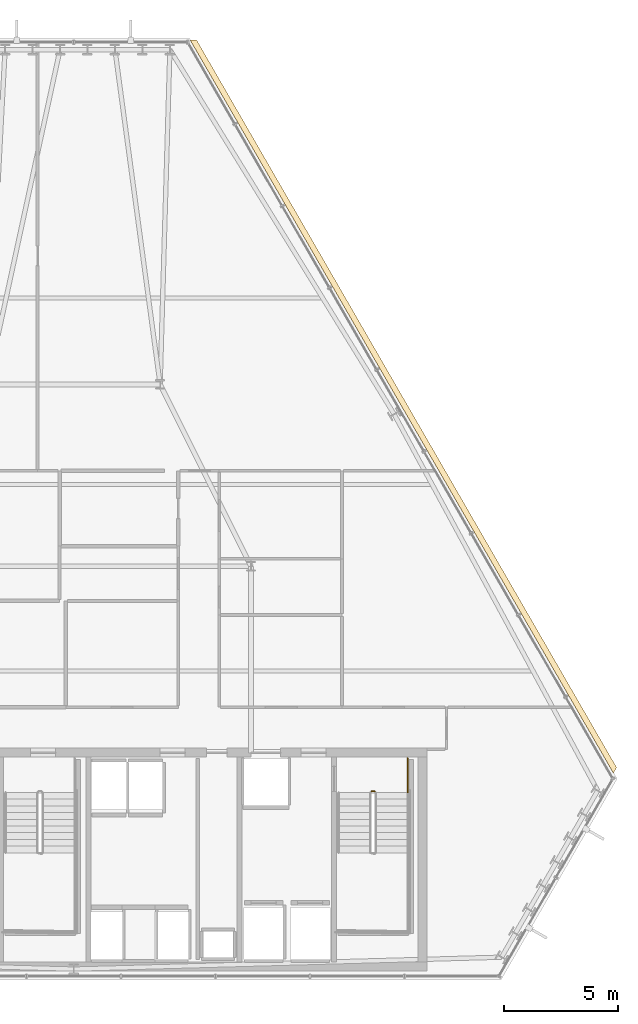
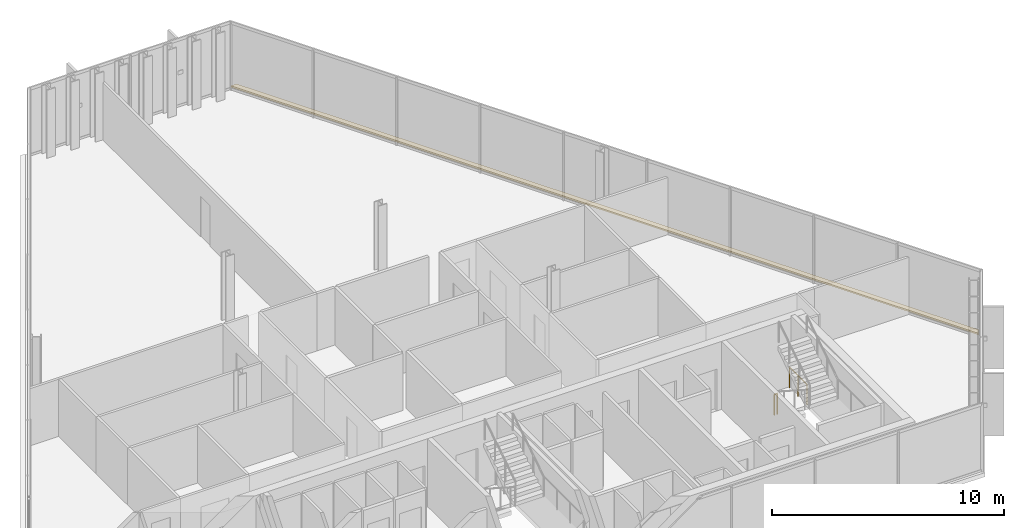
# One storey, part 34 of 35: 2 railings, 1 covering.
"""IFC4 building model written with IfcOpenShell, lengths in metres."""

import ifcopenshell
import ifcopenshell.guid

model = None  # the IFC model being written
_history = None  # IfcOwnerHistory: only IFC2X3 demands one
_inside = {}  # id of a spatial element -> (the spatial element, [elements in it])
_under = {}  # id of a project, library or spatial element -> (it, [spatial elements below it])
_declared = {}  # id of a project -> (the project, [libraries it declares])
_typed = {}  # id of a type object -> (the type object, [elements of that type])
_made_of = {}  # id of a material, layer set ... -> (it, [elements and type objects made of it])


def new_model(schema):
    """Start an empty IFC model of exactly this schema.

    Asked for "IFC4X3", IfcOpenShell would pick the latest addendum, in which some entities
    have other attributes; the version numbers below select the first issue.
    IFC2X3 requires an IfcOwnerHistory on every rooted entity: one is made here for all.
    """
    global model, _history
    if schema == "IFC4X3":
        model = ifcopenshell.file(schema_version=(4, 3, 0, 0))
    else:
        model = ifcopenshell.file(schema=schema)
    _inside.clear()
    _under.clear()
    _declared.clear()
    _typed.clear()
    _made_of.clear()
    _history = None
    if model.schema == "IFC2X3":
        org = make("IfcOrganization", Name="unknown")
        user = make(
            "IfcPersonAndOrganization",
            ThePerson=make("IfcPerson", FamilyName="unknown"),
            TheOrganization=org,
        )
        app = make(
            "IfcApplication",
            ApplicationDeveloper=org,
            Version="unknown",
            ApplicationFullName="unknown",
            ApplicationIdentifier="unknown",
        )
        _history = make(
            "IfcOwnerHistory",
            OwningUser=user,
            OwningApplication=app,
            ChangeAction="ADDED",
            CreationDate=0,
        )
    return model


def make(cls, **values):
    """One entity of the class cls with the attributes given. An attribute that is None is left unset."""
    return model.create_entity(
        cls, **{name: value for name, value in values.items() if value is not None}
    )


def rooted(cls, **values):
    """An entity with a GlobalId (a new one), such as an element, a storey or a relation."""
    return make(cls, GlobalId=ifcopenshell.guid.new(), OwnerHistory=_history, **values)


def si_unit(unit_type, name, prefix=None):
    """IfcSIUnit, for example si_unit("LENGTHUNIT", "METRE", prefix="MILLI")."""
    return make("IfcSIUnit", UnitType=unit_type, Prefix=prefix, Name=name)


def assignment(units):
    """IfcUnitAssignment: the units of a project."""
    return None if units is None else make("IfcUnitAssignment", Units=units)


def point(xyz):
    """IfcCartesianPoint."""
    return None if xyz is None else make("IfcCartesianPoint", Coordinates=xyz)


def direction(xyz):
    """IfcDirection."""
    return None if xyz is None else make("IfcDirection", DirectionRatios=xyz)


def frame(location, z_axis=None, x_axis=None):
    """IfcAxis2Placement3D, a coordinate frame: its origin and axes. An axis left out is left unset."""
    return make(
        "IfcAxis2Placement3D",
        Location=point(location),
        Axis=direction(z_axis),
        RefDirection=direction(x_axis),
    )


def frame_2d(location, x_axis=None):
    """IfcAxis2Placement2D, a coordinate frame in the plane: its origin and x axis."""
    return make(
        "IfcAxis2Placement2D", Location=point(location), RefDirection=direction(x_axis)
    )


def origin():
    """The frame at (0, 0, 0) with its axes left unset."""
    return frame((0.0, 0.0, 0.0))


def origin_2d():
    """The frame at (0, 0) in the plane with its x axis left unset."""
    return frame_2d((0.0, 0.0))


def place(relative_to, where):
    """IfcLocalPlacement: puts the frame where relative to a parent placement (None: the world)."""
    return make(
        "IfcLocalPlacement", PlacementRelTo=relative_to, RelativePlacement=where
    )


def context(
    kind, dimensions, precision=None, world=None, true_north=None, identifier=None
):
    """IfcGeometricRepresentationContext, for example the 3D "Model" context."""
    return make(
        "IfcGeometricRepresentationContext",
        ContextIdentifier=identifier,
        ContextType=kind,
        CoordinateSpaceDimension=dimensions,
        Precision=precision,
        WorldCoordinateSystem=world,
        TrueNorth=true_north,
    )


def subcontext(parent, identifier, kind, view, scale=None):
    """IfcGeometricRepresentationSubContext, for example "Body" below "Model"."""
    return make(
        "IfcGeometricRepresentationSubContext",
        ContextIdentifier=identifier,
        ContextType=kind,
        ParentContext=parent,
        TargetScale=scale,
        TargetView=view,
    )


def project(units=None, contexts=None):
    """IfcProject with its units and contexts."""
    return rooted(
        "IfcProject",
        Name="project",
        RepresentationContexts=contexts,
        UnitsInContext=assignment(units),
    )


def spatial(cls, under=None, at=None, **own):
    """A site, building, storey or space (cls), placed at a placement, below another one or the project."""
    s = rooted(cls, ObjectPlacement=at, **own)
    if under is not None:
        _under.setdefault(under.id(), (under, []))[1].append(s)
    return s


def polyline(points):
    """IfcPolyline through the points."""
    return make("IfcPolyline", Points=[point(p) for p in points])


def profile(cls, at=None, kind="AREA", **sizes):
    """A parametric profile (cls). Its sizes go by their IFC names, for example OverallWidth=200.0."""
    return make(cls, ProfileType=kind, Position=at, **sizes)


def circle(**sizes):
    """IfcCircleProfileDef."""
    return profile("IfcCircleProfileDef", **sizes)


def outline(outer, holes=None, kind="AREA"):
    """IfcArbitraryClosedProfileDef: a profile drawn as a closed curve; with holes, ...WithVoids."""
    if holes is None:
        return make("IfcArbitraryClosedProfileDef", ProfileType=kind, OuterCurve=outer)
    return make(
        "IfcArbitraryProfileDefWithVoids",
        ProfileType=kind,
        OuterCurve=outer,
        InnerCurves=holes,
    )


def extrude(swept, where, along, depth):
    """IfcExtrudedAreaSolid: the profile swept, set in the frame where, extruded along a direction by depth."""
    return make(
        "IfcExtrudedAreaSolid",
        SweptArea=swept,
        Position=where,
        ExtrudedDirection=direction(along),
        Depth=depth,
    )


def shape(context_of_items, identifier, shape_type, items):
    """IfcShapeRepresentation: the items that make up one representation, for example the "Body"."""
    return make(
        "IfcShapeRepresentation",
        ContextOfItems=context_of_items,
        RepresentationIdentifier=identifier,
        RepresentationType=shape_type,
        Items=items,
    )


def material(Name=None, Category=None):
    """IfcMaterial."""
    return make("IfcMaterial", Name=Name, Category=Category)


def layer(
    of_material, thickness, ventilated=None, Name=None, Category=None, Priority=None
):
    """IfcMaterialLayer: one layer of a wall or slab, of a material (None: an air gap)."""
    return make(
        "IfcMaterialLayer",
        Material=of_material,
        LayerThickness=thickness,
        IsVentilated=ventilated,
        Name=Name,
        Category=Category,
        Priority=Priority,
    )


def layer_set(layers, Name=None):
    """IfcMaterialLayerSet."""
    return make("IfcMaterialLayerSet", MaterialLayers=layers, LayerSetName=Name)


def made_of(thing, what):
    """Note that an element or type object is made of a material, layer set ...; save() writes the relation."""
    if what is not None:
        _made_of.setdefault(what.id(), (what, []))[1].append(thing)
    return thing


def type_object(cls, material=None, **own):
    """A type object (cls), such as IfcWallType, which elements share."""
    return made_of(rooted(cls, **own), material)


def element(
    cls,
    number,
    at=None,
    inside=None,
    cuts=None,
    type_object=None,
    material=None,
    context=None,
    identifier="Body",
    shape_type=None,
    held_by="IfcProductDefinitionShape",
    body=None,
    shapes=None,
    **own,
):
    """One element of the class cls, such as IfcWall. Its Tag is "e" and its number.

    at: its placement. inside: the storey or other place that contains it. cuts: it is an
    opening in that element (IfcRelVoidsElement). A single representation is given by context,
    identifier, shape_type and body (its items); several are given by shapes. held_by: the class
    of the entity that holds the representations. save() writes the other relations.
    """
    e = rooted(cls, Tag="e%d" % number, ObjectPlacement=at, **own)
    if body is not None:
        shapes = [shape(context, identifier, shape_type, body)]
    if shapes is not None:
        e.Representation = make(held_by, Representations=shapes)
    if inside is not None:
        _inside.setdefault(inside.id(), (inside, []))[1].append(e)
    if cuts is not None:
        rooted(
            "IfcRelVoidsElement", RelatingBuildingElement=cuts, RelatedOpeningElement=e
        )
    if type_object is not None:
        _typed.setdefault(type_object.id(), (type_object, []))[1].append(e)
    return made_of(e, material)


def aggregate(whole, parts):
    """IfcRelAggregates: a whole, such as a stair, and the parts it consists of."""
    return rooted("IfcRelAggregates", RelatingObject=whole, RelatedObjects=parts)


def save(model, path):
    """Write the relations noted so far, then the file.

    IfcRelAggregates (storeys below a building ...), IfcRelContainedInSpatialStructure (elements
    in a storey), IfcRelDefinesByType, IfcRelAssociatesMaterial and IfcRelDeclares: one each for
    every whole, place, type object, material and project.
    """
    for whole, parts in _under.values():
        aggregate(whole, parts)
    for where, things in _inside.values():
        rooted(
            "IfcRelContainedInSpatialStructure",
            RelatedElements=things,
            RelatingStructure=where,
        )
    for kind, things in _typed.values():
        rooted("IfcRelDefinesByType", RelatedObjects=things, RelatingType=kind)
    for what, things in _made_of.values():
        rooted("IfcRelAssociatesMaterial", RelatedObjects=things, RelatingMaterial=what)
    for by, libraries in _declared.values():
        rooted("IfcRelDeclares", RelatingContext=by, RelatedDefinitions=libraries)
    model.write(path)


model = new_model("IFC4")

# Units and contexts
model_context = context("Model", 3, precision=1e-05, world=origin(), true_north=direction((0.0, 1.0)))
body_context = subcontext(model_context, "Body", "Model", "MODEL_VIEW")
ifc_project = project(units=[si_unit("LENGTHUNIT", "METRE"), si_unit("AREAUNIT", "SQUARE_METRE"), si_unit("VOLUMEUNIT", "CUBIC_METRE"), si_unit("PLANEANGLEUNIT", "RADIAN"), si_unit("MASSUNIT", "GRAM", prefix="KILO")], contexts=[model_context])

# Site, building, storey
site_placement = place(None, origin())
site = spatial("IfcSite", under=ifc_project, at=site_placement, CompositionType="ELEMENT")
building_placement = place(site_placement, origin())
building = spatial("IfcBuilding", under=site, at=building_placement, Name="Ndaravel Arena Tower", CompositionType="ELEMENT")
storey_placement = place(building_placement, frame((0.0, 0.0, 172.60009765625)))
storey = spatial("IfcBuildingStorey", under=building, at=storey_placement, Name="L41", CompositionType="ELEMENT", Elevation=172.60009765625)

# Covering
ifc_material_1 = material(Name="Roofing Membrane", Category="finish")
ifc_layer_1 = layer(ifc_material_1, 0.080078125)
ifc_layer_set_1 = layer_set([ifc_layer_1], Name="Roofing Membrane")
covering_type = type_object("IfcCoveringType", Name="COV-ROOF-MEMB", PredefinedType="ROOFING", material=ifc_layer_set_1)
covering_placement = place(storey_placement, origin())
element("IfcCovering", 1, at=covering_placement, inside=storey, type_object=covering_type, Name="L41 Facet Setback Weathering Flashing", PredefinedType="ROOFING", context=body_context, shape_type="SweptSolid", body=[
    extrude(outline(polyline([(47.397216796875, 46.36181640625), (65.880126953125, 14.348388671875), (65.739013671875, 14.10400390625), (47.114990234375, 46.36181640625), (47.397216796875, 46.36181640625)])), origin(), (0.0, 0.0, 1.0), 0.079833984375),
])

# Railings
ifc_material_2 = material(Name="Steel S355", Category="steel")
ifc_layer_2 = layer(ifc_material_2, 0.06005859375)
ifc_layer_set_2 = layer_set([ifc_layer_2], Name="Steel S355")
railing_type = type_object("IfcRailingType", Name="RAIL-STAIR-GD1100", PredefinedType="GUARDRAIL", material=ifc_layer_set_2)
railing_1_placement = place(storey_placement, frame((55.10009765625, 13.300048828125, 0.0)))
element("IfcRailing", 2, at=railing_1_placement, inside=storey, type_object=railing_type, Name="L41 ST-3 stair guard 4", PredefinedType="GUARDRAIL", context=body_context, shape_type="SweptSolid", body=[
    extrude(circle(Radius=0.02392578125, at=origin_2d()), frame((0.0, 0.0, 1.076171875), z_axis=(1.0, 0.0, 0.0), x_axis=(0.0, 1.0, 0.0)), (0.0, 0.0, 1.0), 0.139892578125),
    extrude(circle(Radius=0.02099609375, at=origin_2d()), origin(), (0.0, 0.0, 1.0), 1.052001953125),
    extrude(circle(Radius=0.02099609375, at=origin_2d()), frame((0.139892578125, 0.0, 0.0)), (0.0, 0.0, 1.0), 1.052001953125),
])
railing_2_placement = place(storey_placement, frame((56.68994140625, 14.75, 0.0)))
element("IfcRailing", 3, at=railing_2_placement, inside=storey, type_object=railing_type, Name="L41 ST-3 stair guard 5", PredefinedType="GUARDRAIL", context=body_context, shape_type="SweptSolid", body=[
    extrude(circle(Radius=0.02392578125, at=origin_2d()), frame((0.0, 0.0, 1.076171875), z_axis=(0.0, -1.0, 0.0), x_axis=(1.0, 0.0, 0.0)), (0.0, 0.0, 1.0), 1.5),
    extrude(circle(Radius=0.02099609375, at=origin_2d()), origin(), (0.0, 0.0, 1.0), 1.052001953125),
    extrude(circle(Radius=0.02099609375, at=origin_2d()), frame((0.0, -0.75, 0.0)), (0.0, 0.0, 1.0), 1.052001953125),
    extrude(circle(Radius=0.02099609375, at=origin_2d()), frame((0.0, -1.5, 0.0)), (0.0, 0.0, 1.0), 1.052001953125),
])

save(model, "model.ifc")
